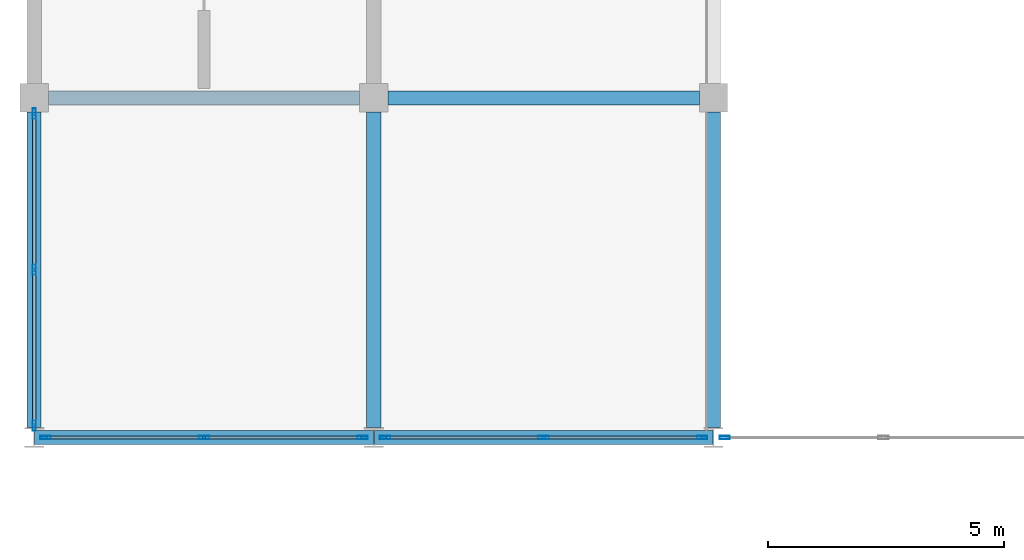
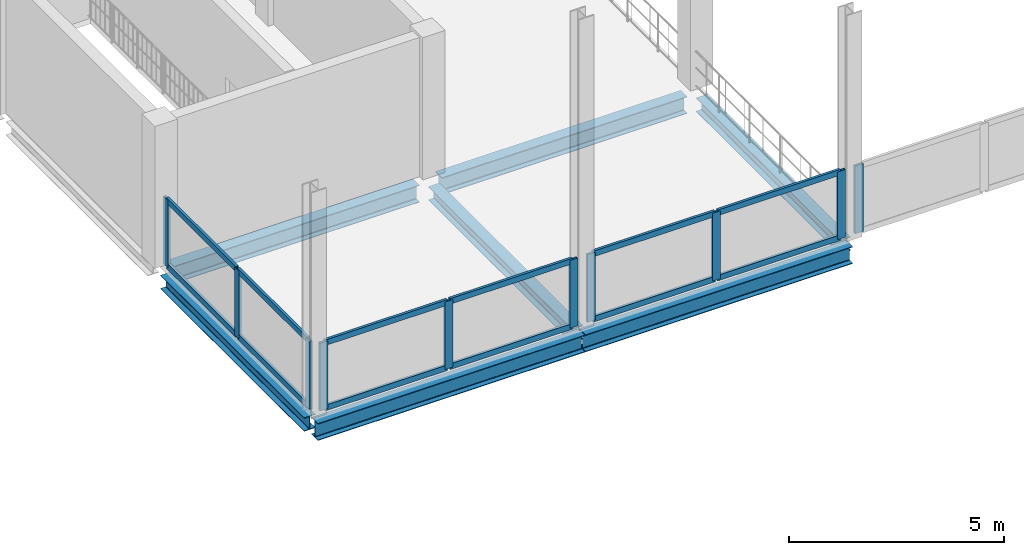
# One storey, part 16 of 51: 22 members, 7 beams, 4 elements without a shape of their own.
"""IFC4 building model written with IfcOpenShell, lengths in metres."""

from ifc_helpers import new_model, si_unit, direction, frame, origin, origin_2d, place, context, subcontext, project, spatial, hollow_rectangle, i_section, extrude, material, material_profile, profile_set, type_object, element, aggregate, save


model = new_model("IFC4")

# Units and contexts
model_context = context("Model", 3, precision=1e-05, world=origin(), true_north=direction((0.0, 1.0)))
body_context = subcontext(model_context, "Body", "Model", "MODEL_VIEW")
ifc_project = project(units=[si_unit("LENGTHUNIT", "METRE"), si_unit("AREAUNIT", "SQUARE_METRE"), si_unit("VOLUMEUNIT", "CUBIC_METRE"), si_unit("PLANEANGLEUNIT", "RADIAN"), si_unit("MASSUNIT", "GRAM", prefix="KILO")], contexts=[model_context])

# Site, building, storey
site_placement = place(None, origin())
site = spatial("IfcSite", under=ifc_project, at=site_placement, CompositionType="ELEMENT")
building_placement = place(site_placement, origin())
building = spatial("IfcBuilding", under=site, at=building_placement, Name="Vesperath Aquatics Centre", CompositionType="ELEMENT")
storey_placement = place(building_placement, frame((0.0, 0.0, 15.0)))
storey = spatial("IfcBuildingStorey", under=building, at=storey_placement, Name="L03", CompositionType="ELEMENT", Elevation=15.0)

# Beams
ifc_material_1 = material(Name="Steel Q355C", Category="steel")
ifc_material_profile_1 = material_profile(ifc_material_1, i_section(OverallWidth=0.300048828125, OverallDepth=0.488037109375, WebThickness=0.010986328125, FlangeThickness=0.01806640625, FilletRadius=0.02587890625, at=origin_2d()), Name="HM 488x300x11x18")
ifc_profile_set_1 = profile_set([ifc_material_profile_1], Name="Steel Q355C")
beam_type_1 = type_object("IfcBeamType", Name="BM-G10", PredefinedType="BEAM", material=ifc_profile_set_1)
beam_1_placement = place(storey_placement, frame((7.2099609375, 86.39990234375, -0.48388671875), z_axis=(1.0, 0.0, 0.0), x_axis=(0.0, 1.0, 0.0)))
element("IfcBeam", 1, at=beam_1_placement, inside=storey, type_object=beam_type_1, Name="Floor Girder B10 L03 N 2-3", PredefinedType="BEAM", context=body_context, shape_type="SweptSolid", body=[
    extrude(i_section(OverallWidth=0.300048828125, OverallDepth=0.488037109375, WebThickness=0.010986328125, FlangeThickness=0.01806640625, FilletRadius=0.02587890625, at=origin_2d()), origin(), (0.0, 0.0, 1.0), 7.179931640625),
])
beam_2_placement = place(storey_placement, frame((7.5, 93.60009765625, -0.48388671875), z_axis=(1.0, 0.0, 0.0), x_axis=(0.0, 1.0, 0.0)))
element("IfcBeam", 2, at=beam_2_placement, inside=storey, type_object=beam_type_1, Name="Floor Girder B10 L03 P 2-3", PredefinedType="BEAM", context=body_context, shape_type="SweptSolid", body=[
    extrude(i_section(OverallWidth=0.300048828125, OverallDepth=0.488037109375, WebThickness=0.010986328125, FlangeThickness=0.01806640625, FilletRadius=0.02587890625, at=origin_2d()), origin(), (0.0, 0.0, 1.0), 6.60009765625),
])
beam_3_placement = place(storey_placement, frame((14.409912109375, 86.39990234375, -0.48388671875), z_axis=(1.0, 0.0, 0.0), x_axis=(0.0, 1.0, 0.0)))
element("IfcBeam", 3, at=beam_3_placement, inside=storey, type_object=beam_type_1, Name="Floor Girder B10 L03 N 3-4", PredefinedType="BEAM", context=body_context, shape_type="SweptSolid", body=[
    extrude(i_section(OverallWidth=0.300048828125, OverallDepth=0.488037109375, WebThickness=0.010986328125, FlangeThickness=0.01806640625, FilletRadius=0.02587890625, at=origin_2d()), origin(), (0.0, 0.0, 1.0), 7.18017578125),
])
beam_4_placement = place(storey_placement, frame((14.699951171875, 93.60009765625, -0.48388671875), z_axis=(1.0, 0.0, 0.0), x_axis=(0.0, 1.0, 0.0)))
element("IfcBeam", 4, at=beam_4_placement, inside=storey, type_object=beam_type_1, Name="Floor Girder B10 L03 P 3-4", PredefinedType="BEAM", context=body_context, shape_type="SweptSolid", body=[
    extrude(i_section(OverallWidth=0.300048828125, OverallDepth=0.488037109375, WebThickness=0.010986328125, FlangeThickness=0.01806640625, FilletRadius=0.02587890625, at=origin_2d()), origin(), (0.0, 0.0, 1.0), 6.60009765625),
])
ifc_material_profile_2 = material_profile(ifc_material_1, i_section(OverallWidth=0.300048828125, OverallDepth=0.389892578125, WebThickness=0.010009765625, FlangeThickness=0.01611328125, FilletRadius=0.02197265625, at=origin_2d()), Name="HM 390x300x10x16")
ifc_profile_set_2 = profile_set([ifc_material_profile_2], Name="Steel Q355C")
beam_type_2 = type_object("IfcBeamType", Name="BM-G11", PredefinedType="BEAM", material=ifc_profile_set_2)
for number, where, z_axis, x_axis, name in (
    (5, (7.199951171875, 86.614013671875, -0.43505859375), (0.0, 1.0, 0.0), (-1.0, 0.0, 0.0), "Floor Girder B11 L03 2 N-P"),
    (6, (14.39990234375, 86.614013671875, -0.43505859375), (0.0, 1.0, 0.0), (-1.0, 0.0, 0.0), "Floor Girder B11 L03 3 N-P"),
    (7, (21.60009765625, 86.614013671875, -0.43505859375), (0.0, 1.0, 0.0), (-1.0, 0.0, 0.0), "Floor Girder B11 L03 4 N-P"),
):
    element("IfcBeam", number, at=place(storey_placement, frame(where, z_axis=z_axis, x_axis=x_axis)), inside=storey, type_object=beam_type_2, Name=name, PredefinedType="BEAM", context=body_context, shape_type="SweptSolid", body=[
        extrude(i_section(OverallWidth=0.300048828125, OverallDepth=0.389892578125, WebThickness=0.010009765625, FlangeThickness=0.01611328125, FilletRadius=0.02197265625, at=origin_2d()), origin(), (0.0, 0.0, 1.0), 6.68603515625),
    ])

# Curtain wall, members
ifc_material_2 = material(Name="Thermally broken anodised bronze aluminium curtain wall", Category="aluminium")
curtain_wall_type = type_object("IfcCurtainWallType", Name="CW-04", PredefinedType="NOTDEFINED", material=ifc_material_2)
curtain_wall_1_placement = place(storey_placement, origin())
curtain_wall_1 = element("IfcCurtainWall", 8, at=curtain_wall_1_placement, inside=storey, type_object=curtain_wall_type, Name="Facade Curtain Wall CW04 L03_S_01_12", PredefinedType="NOTDEFINED")
ifc_material_3 = material(Name="Thermally broken anodised aluminium", Category="aluminium")
ifc_material_profile_3 = material_profile(ifc_material_3, hollow_rectangle(XDim=0.070068359375, YDim=0.219970703125, WallThickness=0.0048828125, at=origin_2d()), Name="CWM 70x220x5")
ifc_profile_set_3 = profile_set([ifc_material_profile_3], Name="Thermally broken anodised aluminium")
member_type_1 = type_object("IfcMemberType", Name="MB-CWM2", PredefinedType="MULLION", material=ifc_profile_set_3)
member_1_placement = place(storey_placement, frame((7.4384765625, 86.39990234375, 0.0), z_axis=(0.0, 0.0, 1.0), x_axis=(0.0, 1.0, 0.0)))
member_1 = element("IfcMember", 9, at=member_1_placement, type_object=member_type_1, Name="CW04 mullion 1", PredefinedType="MULLION", context=body_context, shape_type="SweptSolid", body=[
    extrude(hollow_rectangle(XDim=0.070068359375, YDim=0.219970703125, WallThickness=0.0048828125, at=origin_2d()), origin(), (0.0, 0.0, 1.0), 1.926513671875),
])
member_2_placement = place(storey_placement, frame((10.800048828125, 86.39990234375, 0.0), z_axis=(0.0, 0.0, 1.0), x_axis=(0.0, 1.0, 0.0)))
member_2 = element("IfcMember", 10, at=member_2_placement, type_object=member_type_1, Name="CW04 mullion 2", PredefinedType="MULLION", context=body_context, shape_type="SweptSolid", body=[
    extrude(hollow_rectangle(XDim=0.070068359375, YDim=0.219970703125, WallThickness=0.0048828125, at=origin_2d()), origin(), (0.0, 0.0, 1.0), 1.926513671875),
])
member_3_placement = place(storey_placement, frame((14.16162109375, 86.39990234375, 0.0), z_axis=(0.0, 0.0, 1.0), x_axis=(0.0, 1.0, 0.0)))
member_3 = element("IfcMember", 11, at=member_3_placement, type_object=member_type_1, Name="CW04 mullion 3", PredefinedType="MULLION", context=body_context, shape_type="SweptSolid", body=[
    extrude(hollow_rectangle(XDim=0.070068359375, YDim=0.219970703125, WallThickness=0.0048828125, at=origin_2d()), origin(), (0.0, 0.0, 1.0), 1.926513671875),
])

curtain_wall_2_placement = place(storey_placement, origin())
curtain_wall_2 = element("IfcCurtainWall", 12, at=curtain_wall_2_placement, inside=storey, type_object=curtain_wall_type, Name="Facade Curtain Wall CW04 L03_S_02_12", PredefinedType="NOTDEFINED")
member_4_placement = place(storey_placement, frame((14.638427734375, 86.39990234375, 0.0), z_axis=(0.0, 0.0, 1.0), x_axis=(0.0, 1.0, 0.0)))
member_4 = element("IfcMember", 13, at=member_4_placement, type_object=member_type_1, Name="CW04 mullion 1", PredefinedType="MULLION", context=body_context, shape_type="SweptSolid", body=[
    extrude(hollow_rectangle(XDim=0.070068359375, YDim=0.219970703125, WallThickness=0.0048828125, at=origin_2d()), origin(), (0.0, 0.0, 1.0), 1.926513671875),
])
member_5_placement = place(storey_placement, frame((18.0, 86.39990234375, 0.0), z_axis=(0.0, 0.0, 1.0), x_axis=(0.0, 1.0, 0.0)))
member_5 = element("IfcMember", 14, at=member_5_placement, type_object=member_type_1, Name="CW04 mullion 2", PredefinedType="MULLION", context=body_context, shape_type="SweptSolid", body=[
    extrude(hollow_rectangle(XDim=0.070068359375, YDim=0.219970703125, WallThickness=0.0048828125, at=origin_2d()), origin(), (0.0, 0.0, 1.0), 1.926513671875),
])
member_6_placement = place(storey_placement, frame((21.361572265625, 86.39990234375, 0.0), z_axis=(0.0, 0.0, 1.0), x_axis=(0.0, 1.0, 0.0)))
member_6 = element("IfcMember", 15, at=member_6_placement, type_object=member_type_1, Name="CW04 mullion 3", PredefinedType="MULLION", context=body_context, shape_type="SweptSolid", body=[
    extrude(hollow_rectangle(XDim=0.070068359375, YDim=0.219970703125, WallThickness=0.0048828125, at=origin_2d()), origin(), (0.0, 0.0, 1.0), 1.926513671875),
])

# Curtain wall, member
curtain_wall_3_placement = place(storey_placement, origin())
curtain_wall_3 = element("IfcCurtainWall", 16, at=curtain_wall_3_placement, inside=storey, type_object=curtain_wall_type, Name="Facade Curtain Wall CW04 L03_S_03_12", PredefinedType="NOTDEFINED")
member_7_placement = place(storey_placement, frame((21.83837890625, 86.39990234375, 0.0), z_axis=(0.0, 0.0, 1.0), x_axis=(0.0, 1.0, 0.0)))
member_7 = element("IfcMember", 17, at=member_7_placement, type_object=member_type_1, Name="CW04 mullion 1", PredefinedType="MULLION", context=body_context, shape_type="SweptSolid", body=[
    extrude(hollow_rectangle(XDim=0.070068359375, YDim=0.219970703125, WallThickness=0.0048828125, at=origin_2d()), origin(), (0.0, 0.0, 1.0), 1.926513671875),
])
aggregate(curtain_wall_3, [member_7])

# Curtain wall, members
curtain_wall_4_placement = place(storey_placement, origin())
curtain_wall_4 = element("IfcCurtainWall", 18, at=curtain_wall_4_placement, inside=storey, type_object=curtain_wall_type, Name="Facade Curtain Wall CW04 L03_W_01_12", PredefinedType="NOTDEFINED")
member_8_placement = place(storey_placement, frame((7.199951171875, 86.64892578125, 0.0), z_axis=(0.0, 0.0, 1.0), x_axis=(-1.0, 0.0, 0.0)))
member_8 = element("IfcMember", 19, at=member_8_placement, type_object=member_type_1, Name="CW04 mullion 1", PredefinedType="MULLION", context=body_context, shape_type="SweptSolid", body=[
    extrude(hollow_rectangle(XDim=0.070068359375, YDim=0.219970703125, WallThickness=0.0048828125, at=origin_2d()), origin(), (0.0, 0.0, 1.0), 1.926513671875),
])
member_9_placement = place(storey_placement, frame((7.199951171875, 89.95703125, 0.0), z_axis=(0.0, 0.0, 1.0), x_axis=(-1.0, 0.0, 0.0)))
member_9 = element("IfcMember", 20, at=member_9_placement, type_object=member_type_1, Name="CW04 mullion 2", PredefinedType="MULLION", context=body_context, shape_type="SweptSolid", body=[
    extrude(hollow_rectangle(XDim=0.070068359375, YDim=0.219970703125, WallThickness=0.0048828125, at=origin_2d()), origin(), (0.0, 0.0, 1.0), 1.926513671875),
])
member_10_placement = place(storey_placement, frame((7.199951171875, 93.264892578125, 0.0), z_axis=(0.0, 0.0, 1.0), x_axis=(-1.0, 0.0, 0.0)))
member_10 = element("IfcMember", 21, at=member_10_placement, type_object=member_type_1, Name="CW04 mullion 3", PredefinedType="MULLION", context=body_context, shape_type="SweptSolid", body=[
    extrude(hollow_rectangle(XDim=0.070068359375, YDim=0.219970703125, WallThickness=0.0048828125, at=origin_2d()), origin(), (0.0, 0.0, 1.0), 1.926513671875),
])

# Member
ifc_material_profile_4 = material_profile(ifc_material_3, hollow_rectangle(XDim=0.070068359375, YDim=0.159912109375, WallThickness=0.0048828125, at=origin_2d()), Name="CWT 70x160x5")
ifc_profile_set_4 = profile_set([ifc_material_profile_4], Name="Thermally broken anodised aluminium")
member_type_2 = type_object("IfcMemberType", Name="MB-CWT2", PredefinedType="USERDEFINED", material=ifc_profile_set_4)
member_11_placement = place(storey_placement, frame((7.473388671875, 86.39990234375, 0.034912109375), z_axis=(1.0, 0.0, 0.0), x_axis=(0.0, 1.0, 0.0)))
member_11 = element("IfcMember", 22, at=member_11_placement, type_object=member_type_2, Name="CW04 transom 1.1", ObjectType="TRANSOM", PredefinedType="USERDEFINED", context=body_context, shape_type="SweptSolid", body=[
    extrude(hollow_rectangle(XDim=0.070068359375, YDim=0.159912109375, WallThickness=0.0048828125, at=origin_2d()), origin(), (0.0, 0.0, 1.0), 3.29150390625),
])

member_12_placement = place(storey_placement, frame((7.473388671875, 86.39990234375, 1.891357421875), z_axis=(1.0, 0.0, 0.0), x_axis=(0.0, 1.0, 0.0)))
member_12 = element("IfcMember", 23, at=member_12_placement, type_object=member_type_2, Name="CW04 transom 1.2", ObjectType="TRANSOM", PredefinedType="USERDEFINED", context=body_context, shape_type="SweptSolid", body=[
    extrude(hollow_rectangle(XDim=0.070068359375, YDim=0.159912109375, WallThickness=0.0048828125, at=origin_2d()), origin(), (0.0, 0.0, 1.0), 3.29150390625),
])

member_13_placement = place(storey_placement, frame((10.8349609375, 86.39990234375, 0.034912109375), z_axis=(1.0, 0.0, 0.0), x_axis=(0.0, 1.0, 0.0)))
member_13 = element("IfcMember", 24, at=member_13_placement, type_object=member_type_2, Name="CW04 transom 2.1", ObjectType="TRANSOM", PredefinedType="USERDEFINED", context=body_context, shape_type="SweptSolid", body=[
    extrude(hollow_rectangle(XDim=0.070068359375, YDim=0.159912109375, WallThickness=0.0048828125, at=origin_2d()), origin(), (0.0, 0.0, 1.0), 3.29150390625),
])

member_14_placement = place(storey_placement, frame((10.8349609375, 86.39990234375, 1.891357421875), z_axis=(1.0, 0.0, 0.0), x_axis=(0.0, 1.0, 0.0)))
member_14 = element("IfcMember", 25, at=member_14_placement, type_object=member_type_2, Name="CW04 transom 2.2", ObjectType="TRANSOM", PredefinedType="USERDEFINED", context=body_context, shape_type="SweptSolid", body=[
    extrude(hollow_rectangle(XDim=0.070068359375, YDim=0.159912109375, WallThickness=0.0048828125, at=origin_2d()), origin(), (0.0, 0.0, 1.0), 3.29150390625),
])

aggregate(curtain_wall_1, [member_1, member_2, member_3, member_11, member_12, member_13, member_14])

member_15_placement = place(storey_placement, frame((14.673583984375, 86.39990234375, 0.034912109375), z_axis=(1.0, 0.0, 0.0), x_axis=(0.0, 1.0, 0.0)))
member_15 = element("IfcMember", 26, at=member_15_placement, type_object=member_type_2, Name="CW04 transom 1.1", ObjectType="TRANSOM", PredefinedType="USERDEFINED", context=body_context, shape_type="SweptSolid", body=[
    extrude(hollow_rectangle(XDim=0.070068359375, YDim=0.159912109375, WallThickness=0.0048828125, at=origin_2d()), origin(), (0.0, 0.0, 1.0), 3.29150390625),
])

member_16_placement = place(storey_placement, frame((14.673583984375, 86.39990234375, 1.891357421875), z_axis=(1.0, 0.0, 0.0), x_axis=(0.0, 1.0, 0.0)))
member_16 = element("IfcMember", 27, at=member_16_placement, type_object=member_type_2, Name="CW04 transom 1.2", ObjectType="TRANSOM", PredefinedType="USERDEFINED", context=body_context, shape_type="SweptSolid", body=[
    extrude(hollow_rectangle(XDim=0.070068359375, YDim=0.159912109375, WallThickness=0.0048828125, at=origin_2d()), origin(), (0.0, 0.0, 1.0), 3.29150390625),
])

member_17_placement = place(storey_placement, frame((18.034912109375, 86.39990234375, 0.034912109375), z_axis=(1.0, 0.0, 0.0), x_axis=(0.0, 1.0, 0.0)))
member_17 = element("IfcMember", 28, at=member_17_placement, type_object=member_type_2, Name="CW04 transom 2.1", ObjectType="TRANSOM", PredefinedType="USERDEFINED", context=body_context, shape_type="SweptSolid", body=[
    extrude(hollow_rectangle(XDim=0.070068359375, YDim=0.159912109375, WallThickness=0.0048828125, at=origin_2d()), origin(), (0.0, 0.0, 1.0), 3.29150390625),
])

member_18_placement = place(storey_placement, frame((18.034912109375, 86.39990234375, 1.891357421875), z_axis=(1.0, 0.0, 0.0), x_axis=(0.0, 1.0, 0.0)))
member_18 = element("IfcMember", 29, at=member_18_placement, type_object=member_type_2, Name="CW04 transom 2.2", ObjectType="TRANSOM", PredefinedType="USERDEFINED", context=body_context, shape_type="SweptSolid", body=[
    extrude(hollow_rectangle(XDim=0.070068359375, YDim=0.159912109375, WallThickness=0.0048828125, at=origin_2d()), origin(), (0.0, 0.0, 1.0), 3.29150390625),
])

aggregate(curtain_wall_2, [member_4, member_5, member_6, member_15, member_16, member_17, member_18])

member_19_placement = place(storey_placement, frame((7.199951171875, 86.68408203125, 0.034912109375), z_axis=(0.0, 1.0, 0.0), x_axis=(-1.0, 0.0, 0.0)))
member_19 = element("IfcMember", 30, at=member_19_placement, type_object=member_type_2, Name="CW04 transom 1.1", ObjectType="TRANSOM", PredefinedType="USERDEFINED", context=body_context, shape_type="SweptSolid", body=[
    extrude(hollow_rectangle(XDim=0.070068359375, YDim=0.159912109375, WallThickness=0.0048828125, at=origin_2d()), origin(), (0.0, 0.0, 1.0), 3.238037109375),
])

member_20_placement = place(storey_placement, frame((7.199951171875, 86.68408203125, 1.891357421875), z_axis=(0.0, 1.0, 0.0), x_axis=(-1.0, 0.0, 0.0)))
member_20 = element("IfcMember", 31, at=member_20_placement, type_object=member_type_2, Name="CW04 transom 1.2", ObjectType="TRANSOM", PredefinedType="USERDEFINED", context=body_context, shape_type="SweptSolid", body=[
    extrude(hollow_rectangle(XDim=0.070068359375, YDim=0.159912109375, WallThickness=0.0048828125, at=origin_2d()), origin(), (0.0, 0.0, 1.0), 3.238037109375),
])

member_21_placement = place(storey_placement, frame((7.199951171875, 89.991943359375, 0.034912109375), z_axis=(0.0, 1.0, 0.0), x_axis=(-1.0, 0.0, 0.0)))
member_21 = element("IfcMember", 32, at=member_21_placement, type_object=member_type_2, Name="CW04 transom 2.1", ObjectType="TRANSOM", PredefinedType="USERDEFINED", context=body_context, shape_type="SweptSolid", body=[
    extrude(hollow_rectangle(XDim=0.070068359375, YDim=0.159912109375, WallThickness=0.0048828125, at=origin_2d()), origin(), (0.0, 0.0, 1.0), 3.238037109375),
])

member_22_placement = place(storey_placement, frame((7.199951171875, 89.991943359375, 1.891357421875), z_axis=(0.0, 1.0, 0.0), x_axis=(-1.0, 0.0, 0.0)))
member_22 = element("IfcMember", 33, at=member_22_placement, type_object=member_type_2, Name="CW04 transom 2.2", ObjectType="TRANSOM", PredefinedType="USERDEFINED", context=body_context, shape_type="SweptSolid", body=[
    extrude(hollow_rectangle(XDim=0.070068359375, YDim=0.159912109375, WallThickness=0.0048828125, at=origin_2d()), origin(), (0.0, 0.0, 1.0), 3.238037109375),
])

aggregate(curtain_wall_4, [member_8, member_9, member_10, member_19, member_20, member_21, member_22])

save(model, "model.ifc")
